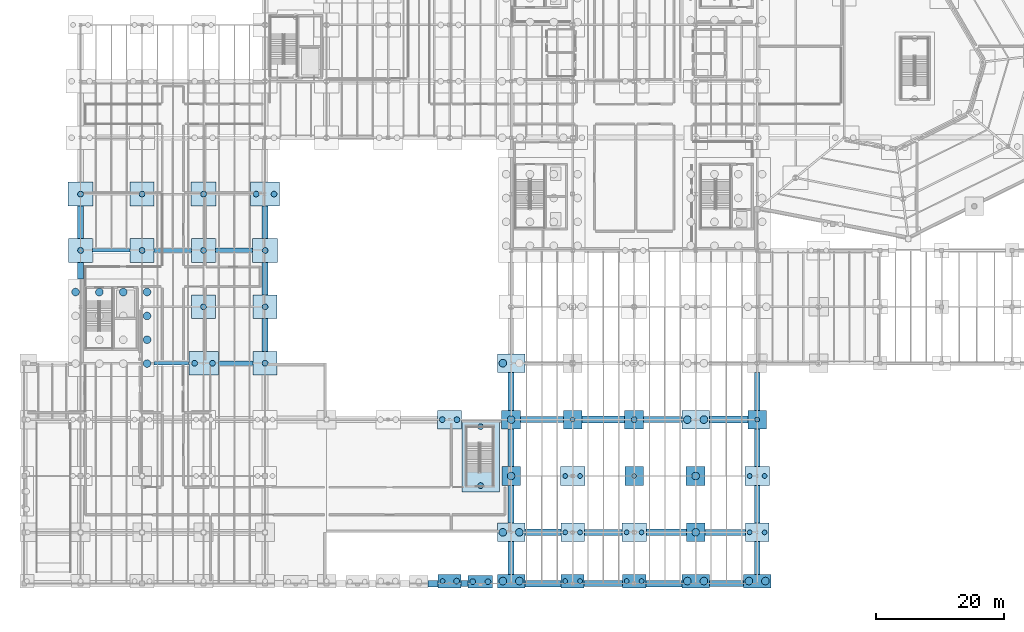
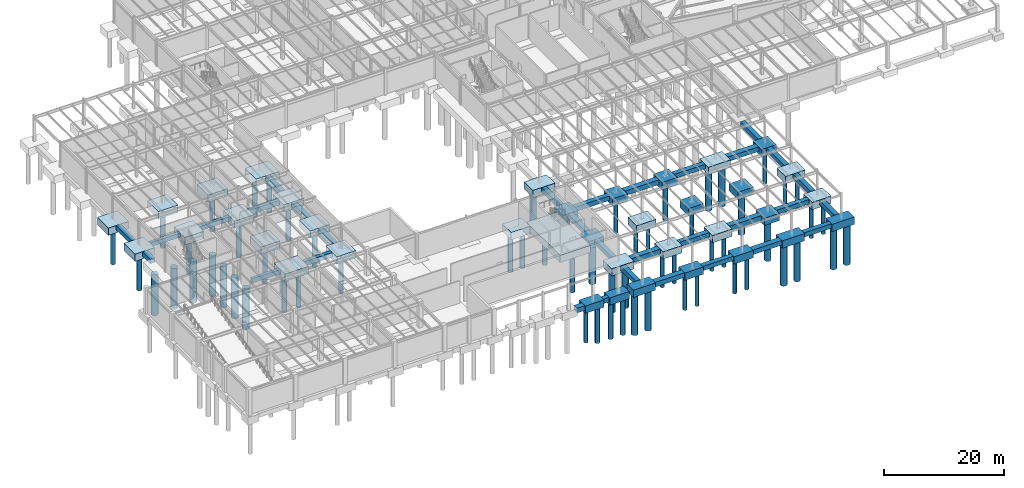
# One storey, part 2 of 48: 69 footings, 62 piles.
"""IFC4 building model written with IfcOpenShell, lengths in metres."""

import ifcopenshell
import ifcopenshell.guid

model = None  # the IFC model being written
_history = None  # IfcOwnerHistory: only IFC2X3 demands one
_inside = {}  # id of a spatial element -> (the spatial element, [elements in it])
_under = {}  # id of a project, library or spatial element -> (it, [spatial elements below it])
_declared = {}  # id of a project -> (the project, [libraries it declares])
_typed = {}  # id of a type object -> (the type object, [elements of that type])
_made_of = {}  # id of a material, layer set ... -> (it, [elements and type objects made of it])


def new_model(schema):
    """Start an empty IFC model of exactly this schema.

    Asked for "IFC4X3", IfcOpenShell would pick the latest addendum, in which some entities
    have other attributes; the version numbers below select the first issue.
    IFC2X3 requires an IfcOwnerHistory on every rooted entity: one is made here for all.
    """
    global model, _history
    if schema == "IFC4X3":
        model = ifcopenshell.file(schema_version=(4, 3, 0, 0))
    else:
        model = ifcopenshell.file(schema=schema)
    _inside.clear()
    _under.clear()
    _declared.clear()
    _typed.clear()
    _made_of.clear()
    _history = None
    if model.schema == "IFC2X3":
        org = make("IfcOrganization", Name="unknown")
        user = make(
            "IfcPersonAndOrganization",
            ThePerson=make("IfcPerson", FamilyName="unknown"),
            TheOrganization=org,
        )
        app = make(
            "IfcApplication",
            ApplicationDeveloper=org,
            Version="unknown",
            ApplicationFullName="unknown",
            ApplicationIdentifier="unknown",
        )
        _history = make(
            "IfcOwnerHistory",
            OwningUser=user,
            OwningApplication=app,
            ChangeAction="ADDED",
            CreationDate=0,
        )
    return model


def make(cls, **values):
    """One entity of the class cls with the attributes given. An attribute that is None is left unset."""
    return model.create_entity(
        cls, **{name: value for name, value in values.items() if value is not None}
    )


def rooted(cls, **values):
    """An entity with a GlobalId (a new one), such as an element, a storey or a relation."""
    return make(cls, GlobalId=ifcopenshell.guid.new(), OwnerHistory=_history, **values)


def si_unit(unit_type, name, prefix=None):
    """IfcSIUnit, for example si_unit("LENGTHUNIT", "METRE", prefix="MILLI")."""
    return make("IfcSIUnit", UnitType=unit_type, Prefix=prefix, Name=name)


def assignment(units):
    """IfcUnitAssignment: the units of a project."""
    return None if units is None else make("IfcUnitAssignment", Units=units)


def point(xyz):
    """IfcCartesianPoint."""
    return None if xyz is None else make("IfcCartesianPoint", Coordinates=xyz)


def direction(xyz):
    """IfcDirection."""
    return None if xyz is None else make("IfcDirection", DirectionRatios=xyz)


def frame(location, z_axis=None, x_axis=None):
    """IfcAxis2Placement3D, a coordinate frame: its origin and axes. An axis left out is left unset."""
    return make(
        "IfcAxis2Placement3D",
        Location=point(location),
        Axis=direction(z_axis),
        RefDirection=direction(x_axis),
    )


def frame_2d(location, x_axis=None):
    """IfcAxis2Placement2D, a coordinate frame in the plane: its origin and x axis."""
    return make(
        "IfcAxis2Placement2D", Location=point(location), RefDirection=direction(x_axis)
    )


def origin():
    """The frame at (0, 0, 0) with its axes left unset."""
    return frame((0.0, 0.0, 0.0))


def origin_2d():
    """The frame at (0, 0) in the plane with its x axis left unset."""
    return frame_2d((0.0, 0.0))


def place(relative_to, where):
    """IfcLocalPlacement: puts the frame where relative to a parent placement (None: the world)."""
    return make(
        "IfcLocalPlacement", PlacementRelTo=relative_to, RelativePlacement=where
    )


def context(
    kind, dimensions, precision=None, world=None, true_north=None, identifier=None
):
    """IfcGeometricRepresentationContext, for example the 3D "Model" context."""
    return make(
        "IfcGeometricRepresentationContext",
        ContextIdentifier=identifier,
        ContextType=kind,
        CoordinateSpaceDimension=dimensions,
        Precision=precision,
        WorldCoordinateSystem=world,
        TrueNorth=true_north,
    )


def subcontext(parent, identifier, kind, view, scale=None):
    """IfcGeometricRepresentationSubContext, for example "Body" below "Model"."""
    return make(
        "IfcGeometricRepresentationSubContext",
        ContextIdentifier=identifier,
        ContextType=kind,
        ParentContext=parent,
        TargetScale=scale,
        TargetView=view,
    )


def project(units=None, contexts=None):
    """IfcProject with its units and contexts."""
    return rooted(
        "IfcProject",
        Name="project",
        RepresentationContexts=contexts,
        UnitsInContext=assignment(units),
    )


def spatial(cls, under=None, at=None, **own):
    """A site, building, storey or space (cls), placed at a placement, below another one or the project."""
    s = rooted(cls, ObjectPlacement=at, **own)
    if under is not None:
        _under.setdefault(under.id(), (under, []))[1].append(s)
    return s


def profile(cls, at=None, kind="AREA", **sizes):
    """A parametric profile (cls). Its sizes go by their IFC names, for example OverallWidth=200.0."""
    return make(cls, ProfileType=kind, Position=at, **sizes)


def rectangle(**sizes):
    """IfcRectangleProfileDef."""
    return profile("IfcRectangleProfileDef", **sizes)


def circle(**sizes):
    """IfcCircleProfileDef."""
    return profile("IfcCircleProfileDef", **sizes)


def extrude(swept, where, along, depth):
    """IfcExtrudedAreaSolid: the profile swept, set in the frame where, extruded along a direction by depth."""
    return make(
        "IfcExtrudedAreaSolid",
        SweptArea=swept,
        Position=where,
        ExtrudedDirection=direction(along),
        Depth=depth,
    )


def shape(context_of_items, identifier, shape_type, items):
    """IfcShapeRepresentation: the items that make up one representation, for example the "Body"."""
    return make(
        "IfcShapeRepresentation",
        ContextOfItems=context_of_items,
        RepresentationIdentifier=identifier,
        RepresentationType=shape_type,
        Items=items,
    )


def material(Name=None, Category=None):
    """IfcMaterial."""
    return make("IfcMaterial", Name=Name, Category=Category)


def material_profile(
    of_material, cross_section, Name=None, Category=None, Priority=None
):
    """IfcMaterialProfile: a cross section and its material."""
    return make(
        "IfcMaterialProfile",
        Name=Name,
        Material=of_material,
        Profile=cross_section,
        Priority=Priority,
        Category=Category,
    )


def profile_set(profiles, Name=None, composite=None):
    """IfcMaterialProfileSet."""
    return make(
        "IfcMaterialProfileSet",
        Name=Name,
        MaterialProfiles=profiles,
        CompositeProfile=composite,
    )


def made_of(thing, what):
    """Note that an element or type object is made of a material, layer set ...; save() writes the relation."""
    if what is not None:
        _made_of.setdefault(what.id(), (what, []))[1].append(thing)
    return thing


def type_object(cls, material=None, **own):
    """A type object (cls), such as IfcWallType, which elements share."""
    return made_of(rooted(cls, **own), material)


def element(
    cls,
    number,
    at=None,
    inside=None,
    cuts=None,
    type_object=None,
    material=None,
    context=None,
    identifier="Body",
    shape_type=None,
    held_by="IfcProductDefinitionShape",
    body=None,
    shapes=None,
    **own,
):
    """One element of the class cls, such as IfcWall. Its Tag is "e" and its number.

    at: its placement. inside: the storey or other place that contains it. cuts: it is an
    opening in that element (IfcRelVoidsElement). A single representation is given by context,
    identifier, shape_type and body (its items); several are given by shapes. held_by: the class
    of the entity that holds the representations. save() writes the other relations.
    """
    e = rooted(cls, Tag="e%d" % number, ObjectPlacement=at, **own)
    if body is not None:
        shapes = [shape(context, identifier, shape_type, body)]
    if shapes is not None:
        e.Representation = make(held_by, Representations=shapes)
    if inside is not None:
        _inside.setdefault(inside.id(), (inside, []))[1].append(e)
    if cuts is not None:
        rooted(
            "IfcRelVoidsElement", RelatingBuildingElement=cuts, RelatedOpeningElement=e
        )
    if type_object is not None:
        _typed.setdefault(type_object.id(), (type_object, []))[1].append(e)
    return made_of(e, material)


def aggregate(whole, parts):
    """IfcRelAggregates: a whole, such as a stair, and the parts it consists of."""
    return rooted("IfcRelAggregates", RelatingObject=whole, RelatedObjects=parts)


def save(model, path):
    """Write the relations noted so far, then the file.

    IfcRelAggregates (storeys below a building ...), IfcRelContainedInSpatialStructure (elements
    in a storey), IfcRelDefinesByType, IfcRelAssociatesMaterial and IfcRelDeclares: one each for
    every whole, place, type object, material and project.
    """
    for whole, parts in _under.values():
        aggregate(whole, parts)
    for where, things in _inside.values():
        rooted(
            "IfcRelContainedInSpatialStructure",
            RelatedElements=things,
            RelatingStructure=where,
        )
    for kind, things in _typed.values():
        rooted("IfcRelDefinesByType", RelatedObjects=things, RelatingType=kind)
    for what, things in _made_of.values():
        rooted("IfcRelAssociatesMaterial", RelatedObjects=things, RelatingMaterial=what)
    for by, libraries in _declared.values():
        rooted("IfcRelDeclares", RelatingContext=by, RelatedDefinitions=libraries)
    model.write(path)


model = new_model("IFC4")

# Units and contexts
model_context = context("Model", 3, precision=1e-05, world=origin(), true_north=direction((0.0, 1.0)))
body_context = subcontext(model_context, "Body", "Model", "MODEL_VIEW")
ifc_project = project(units=[si_unit("LENGTHUNIT", "METRE"), si_unit("AREAUNIT", "SQUARE_METRE"), si_unit("VOLUMEUNIT", "CUBIC_METRE"), si_unit("PLANEANGLEUNIT", "RADIAN"), si_unit("MASSUNIT", "GRAM", prefix="KILO")], contexts=[model_context])

# Site, building, storey
site_placement = place(None, origin())
site = spatial("IfcSite", under=ifc_project, at=site_placement, CompositionType="ELEMENT")
building_placement = place(site_placement, origin())
building = spatial("IfcBuilding", under=site, at=building_placement, Name="Sarnbrook Museum", CompositionType="ELEMENT")
storey_placement = place(building_placement, frame((0.0, 0.0, -5.39990234375)))
storey = spatial("IfcBuildingStorey", under=building, at=storey_placement, Name="B1", CompositionType="ELEMENT", Elevation=-5.39990234375)

# Piles
ifc_material_1 = material(Name="Concrete N50 (AS 3600, f'c = 50 MPa)", Category="concrete")
ifc_material_profile_1 = material_profile(ifc_material_1, circle(Radius=0.375, at=origin_2d()), Name="BORED PILE D750")
ifc_profile_set_1 = profile_set([ifc_material_profile_1], Name="Concrete N50 (AS 3600, f'c = 50 MPa)")
pile_type_1 = type_object("IfcPileType", Name="BoredPile_P1", PredefinedType="BORED", material=ifc_profile_set_1)
for number, where, z_axis, x_axis, name in (
    (1, (70.110107421875, 5.199951171875, -1.400146484375), (0.0, 0.0, -1.0), (1.0, 0.0, 0.0), "Bored Pile P1-0137"),
    (2, (89.237548828125, 5.199951171875, -1.400146484375), (0.0, 0.0, -1.0), (1.0, 0.0, 0.0), "Bored Pile P1-0198"),
    (3, (91.5625, 5.199951171875, -1.400146484375), (0.0, 0.0, -1.0), (1.0, 0.0, 0.0), "Bored Pile P1-0199"),
    (4, (89.237548828125, 12.800048828125, -1.400146484375), (0.0, 0.0, -1.0), (1.0, 0.0, 0.0), "Bored Pile P1-0200"),
    (5, (91.5625, 12.800048828125, -1.400146484375), (0.0, 0.0, -1.0), (1.0, 0.0, 0.0), "Bored Pile P1-0201"),
    (6, (89.237548828125, 21.60009765625, -1.400146484375), (0.0, 0.0, -1.0), (1.0, 0.0, 0.0), "Bored Pile P1-0202"),
    (7, (91.5625, 21.60009765625, -1.400146484375), (0.0, 0.0, -1.0), (1.0, 0.0, 0.0), "Bored Pile P1-0203"),
    (8, (90.39990234375, 30.39990234375, -1.400146484375), (0.0, 0.0, -1.0), (1.0, 0.0, 0.0), "Bored Pile P1-0204"),
    (9, (98.83740234375, 5.199951171875, -1.400146484375), (0.0, 0.0, -1.0), (1.0, 0.0, 0.0), "Bored Pile P1-0214"),
    (10, (101.16259765625, 5.199951171875, -1.400146484375), (0.0, 0.0, -1.0), (1.0, 0.0, 0.0), "Bored Pile P1-0215"),
    (11, (98.83740234375, 12.800048828125, -1.400146484375), (0.0, 0.0, -1.0), (1.0, 0.0, 0.0), "Bored Pile P1-0216"),
    (12, (101.16259765625, 12.800048828125, -1.400146484375), (0.0, 0.0, -1.0), (1.0, 0.0, 0.0), "Bored Pile P1-0217"),
    (13, (100.0, 21.60009765625, -1.400146484375), (0.0, 0.0, -1.0), (1.0, 0.0, 0.0), "Bored Pile P1-0218"),
    (14, (118.03759765625, 12.800048828125, -1.400146484375), (0.0, 0.0, -1.0), (1.0, 0.0, 0.0), "Bored Pile P1-0276"),
    (15, (120.362548828125, 12.800048828125, -1.400146484375), (0.0, 0.0, -1.0), (1.0, 0.0, 0.0), "Bored Pile P1-0277"),
    (16, (118.03759765625, 21.60009765625, -1.400146484375), (0.0, 0.0, -1.0), (1.0, 0.0, 0.0), "Bored Pile P1-0278"),
    (17, (120.362548828125, 21.60009765625, -1.400146484375), (0.0, 0.0, -1.0), (1.0, 0.0, 0.0), "Bored Pile P1-0279"),
    (18, (119.199951171875, 30.39990234375, -1.400146484375), (0.0, 0.0, -1.0), (1.0, 0.0, 0.0), "Bored Pile P1-0280"),
):
    element("IfcPile", number, at=place(storey_placement, frame(where, z_axis=z_axis, x_axis=x_axis)), inside=storey, type_object=pile_type_1, Name=name, PredefinedType="BORED", context=body_context, shape_type="SweptSolid", body=[
        extrude(circle(Radius=0.375, at=origin_2d()), origin(), (0.0, 0.0, 1.0), 6.800048828125),
    ])
ifc_material_profile_2 = material_profile(ifc_material_1, circle(Radius=0.449951171875, at=origin_2d()), Name="BORED PILE D900")
ifc_profile_set_2 = profile_set([ifc_material_profile_2], Name="Concrete N50 (AS 3600, f'c = 50 MPa)")
pile_type_2 = type_object("IfcPileType", Name="BoredPile_P2", PredefinedType="BORED", material=ifc_profile_set_2)
for number, where, z_axis, x_axis, name in (
    (19, (13.60009765625, 56.800048828125, -1.400146484375), (0.0, 0.0, -1.0), (1.0, 0.0, 0.0), "Bored Pile P2-0024"),
    (20, (13.60009765625, 65.60009765625, -1.400146484375), (0.0, 0.0, -1.0), (1.0, 0.0, 0.0), "Bored Pile P2-0025"),
    (21, (23.199951171875, 56.800048828125, -1.400146484375), (0.0, 0.0, -1.0), (1.0, 0.0, 0.0), "Bored Pile P2-0038"),
    (22, (23.199951171875, 65.60009765625, -1.400146484375), (0.0, 0.0, -1.0), (1.0, 0.0, 0.0), "Bored Pile P2-0039"),
    (23, (31.405029296875, 39.199951171875, -1.400146484375), (0.0, 0.0, -1.0), (1.0, 0.0, 0.0), "Bored Pile P2-0051"),
    (24, (34.195068359375, 39.199951171875, -1.400146484375), (0.0, 0.0, -1.0), (1.0, 0.0, 0.0), "Bored Pile P2-0052"),
    (25, (32.800048828125, 48.0, -1.400146484375), (0.0, 0.0, -1.0), (1.0, 0.0, 0.0), "Bored Pile P2-0053"),
    (26, (32.800048828125, 56.800048828125, -1.400146484375), (0.0, 0.0, -1.0), (1.0, 0.0, 0.0), "Bored Pile P2-0054"),
    (27, (32.800048828125, 65.60009765625, -1.400146484375), (0.0, 0.0, -1.0), (1.0, 0.0, 0.0), "Bored Pile P2-0055"),
    (28, (42.39990234375, 39.199951171875, -1.400146484375), (0.0, 0.0, -1.0), (1.0, 0.0, 0.0), "Bored Pile P2-0068"),
    (29, (42.39990234375, 48.0, -1.400146484375), (0.0, 0.0, -1.0), (1.0, 0.0, 0.0), "Bored Pile P2-0069"),
    (30, (42.39990234375, 56.800048828125, -1.400146484375), (0.0, 0.0, -1.0), (1.0, 0.0, 0.0), "Bored Pile P2-0070"),
    (31, (41.0048828125, 65.60009765625, -1.400146484375), (0.0, 0.0, -1.0), (1.0, 0.0, 0.0), "Bored Pile P2-0071"),
    (32, (43.794921875, 65.60009765625, -1.400146484375), (0.0, 0.0, -1.0), (1.0, 0.0, 0.0), "Bored Pile P2-0072"),
    (33, (72.2900390625, 5.199951171875, -1.400146484375), (0.0, 0.0, -1.0), (1.0, 0.0, 0.0), "Bored Pile P2-0138"),
    (34, (70.06005859375, 30.39990234375, -1.400146484375), (0.0, 0.0, -1.0), (1.0, 0.0, 0.0), "Bored Pile P2-0139"),
    (35, (72.340087890625, 30.39990234375, -1.400146484375), (0.0, 0.0, -1.0), (1.0, 0.0, 0.0), "Bored Pile P2-0140"),
    (36, (74.81005859375, 5.110107421875, -1.400146484375), (0.0, 0.0, -1.0), (1.0, 0.0, 0.0), "Bored Pile P2-0141"),
    (37, (77.18994140625, 5.110107421875, -1.400146484375), (0.0, 0.0, -1.0), (1.0, 0.0, 0.0), "Bored Pile P2-0142"),
    (38, (100.0, 30.39990234375, -1.400146484375), (0.0, 0.0, -1.0), (1.0, 0.0, 0.0), "Bored Pile P2-0219"),
    (39, (76.044921875, 20.10009765625, -1.400146484375), (0.0, 0.0, -1.0), (1.0, 0.0, 0.0), "Bored Pile P2-0330"),
    (40, (76.044921875, 29.300048828125, -1.400146484375), (0.0, 0.0, -1.0), (1.0, 0.0, 0.0), "Bored Pile P2-0331"),
):
    element("IfcPile", number, at=place(storey_placement, frame(where, z_axis=z_axis, x_axis=x_axis)), inside=storey, type_object=pile_type_2, Name=name, PredefinedType="BORED", context=body_context, shape_type="SweptSolid", body=[
        extrude(circle(Radius=0.449951171875, at=origin_2d()), origin(), (0.0, 0.0, 1.0), 7.60009765625),
    ])
ifc_material_profile_3 = material_profile(ifc_material_1, circle(Radius=0.60009765625, at=origin_2d()), Name="BORED PILE D1200")
ifc_profile_set_3 = profile_set([ifc_material_profile_3], Name="Concrete N50 (AS 3600, f'c = 50 MPa)")
pile_type_3 = type_object("IfcPileType", Name="BoredPile_P3", PredefinedType="BORED", material=ifc_profile_set_3)
for number, where, z_axis, x_axis, name in (
    (41, (12.820068359375, 50.304931640625, -1.400146484375), (0.0, 0.0, -1.0), (1.0, 0.0, 0.0), "Bored Pile P3-0011"),
    (42, (16.5400390625, 50.304931640625, -1.400146484375), (0.0, 0.0, -1.0), (1.0, 0.0, 0.0), "Bored Pile P3-0015"),
    (43, (20.260009765625, 50.304931640625, -1.400146484375), (0.0, 0.0, -1.0), (1.0, 0.0, 0.0), "Bored Pile P3-0019"),
    (44, (23.97998046875, 39.14501953125, -1.400146484375), (0.0, 0.0, -1.0), (1.0, 0.0, 0.0), "Bored Pile P3-0020"),
    (45, (23.97998046875, 42.864990234375, -1.400146484375), (0.0, 0.0, -1.0), (1.0, 0.0, 0.0), "Bored Pile P3-0021"),
    (46, (23.97998046875, 46.5849609375, -1.400146484375), (0.0, 0.0, -1.0), (1.0, 0.0, 0.0), "Bored Pile P3-0022"),
    (47, (23.97998046875, 50.304931640625, -1.400146484375), (0.0, 0.0, -1.0), (1.0, 0.0, 0.0), "Bored Pile P3-0023"),
    (48, (79.510009765625, 5.199951171875, -1.400146484375), (0.0, 0.0, -1.0), (1.0, 0.0, 0.0), "Bored Pile P3-0184"),
    (49, (82.090087890625, 5.199951171875, -1.400146484375), (0.0, 0.0, -1.0), (1.0, 0.0, 0.0), "Bored Pile P3-0185"),
    (50, (79.510009765625, 12.800048828125, -1.400146484375), (0.0, 0.0, -1.0), (1.0, 0.0, 0.0), "Bored Pile P3-0186"),
    (51, (82.090087890625, 12.800048828125, -1.400146484375), (0.0, 0.0, -1.0), (1.0, 0.0, 0.0), "Bored Pile P3-0187"),
    (52, (80.800048828125, 21.60009765625, -1.400146484375), (0.0, 0.0, -1.0), (1.0, 0.0, 0.0), "Bored Pile P3-0188"),
    (53, (80.800048828125, 30.39990234375, -1.400146484375), (0.0, 0.0, -1.0), (1.0, 0.0, 0.0), "Bored Pile P3-0189"),
    (54, (79.510009765625, 39.199951171875, -1.400146484375), (0.0, 0.0, -1.0), (1.0, 0.0, 0.0), "Bored Pile P3-0190"),
    (55, (108.31005859375, 5.199951171875, -1.400146484375), (0.0, 0.0, -1.0), (1.0, 0.0, 0.0), "Bored Pile P3-0262"),
    (56, (110.889892578125, 5.199951171875, -1.400146484375), (0.0, 0.0, -1.0), (1.0, 0.0, 0.0), "Bored Pile P3-0263"),
    (57, (109.60009765625, 12.800048828125, -1.400146484375), (0.0, 0.0, -1.0), (1.0, 0.0, 0.0), "Bored Pile P3-0264"),
    (58, (109.60009765625, 21.60009765625, -1.400146484375), (0.0, 0.0, -1.0), (1.0, 0.0, 0.0), "Bored Pile P3-0265"),
    (59, (108.31005859375, 30.39990234375, -1.400146484375), (0.0, 0.0, -1.0), (1.0, 0.0, 0.0), "Bored Pile P3-0266"),
    (60, (110.889892578125, 30.39990234375, -1.400146484375), (0.0, 0.0, -1.0), (1.0, 0.0, 0.0), "Bored Pile P3-0267"),
    (61, (117.909912109375, 5.199951171875, -1.400146484375), (0.0, 0.0, -1.0), (1.0, 0.0, 0.0), "Bored Pile P3-0274"),
    (62, (120.489990234375, 5.199951171875, -1.400146484375), (0.0, 0.0, -1.0), (1.0, 0.0, 0.0), "Bored Pile P3-0275"),
):
    element("IfcPile", number, at=place(storey_placement, frame(where, z_axis=z_axis, x_axis=x_axis)), inside=storey, type_object=pile_type_3, Name=name, PredefinedType="BORED", context=body_context, shape_type="SweptSolid", body=[
        extrude(circle(Radius=0.60009765625, at=origin_2d()), origin(), (0.0, 0.0, 1.0), 8.39990234375),
    ])

# Footings
ifc_material_2 = material(Name="Concrete N40 (AS 3600, f'c = 40 MPa)", Category="concrete")
footing_type_1 = type_object("IfcFootingType", Name="GroundBeam_GB1", PredefinedType="FOOTING_BEAM", material=ifc_material_2)
footing_1_placement = place(storey_placement, frame((18.425048828125, 56.800048828125, -0.85009765625), z_axis=(0.0, 0.0, 1.0), x_axis=(1.0, 0.0, 0.0)))
element("IfcFooting", 63, at=footing_1_placement, inside=storey, type_object=footing_type_1, Name="Ground Tie Beam GB-013", PredefinedType="FOOTING_BEAM", context=body_context, shape_type="SweptSolid", body=[
    extrude(rectangle(XDim=5.85009765625, YDim=0.550048828125, at=origin_2d()), origin(), (0.0, 0.0, 1.0), 0.85009765625),
])
footing_type_2 = type_object("IfcFootingType", Name="GroundBeam_GB2", PredefinedType="FOOTING_BEAM", material=ifc_material_2)
footing_2_placement = place(storey_placement, frame((27.77490234375, 39.199951171875, -0.900146484375), z_axis=(0.0, 0.0, 1.0), x_axis=(1.0, 0.0, 0.0)))
element("IfcFooting", 64, at=footing_2_placement, inside=storey, type_object=footing_type_2, Name="Ground Tie Beam GB-002", PredefinedType="FOOTING_BEAM", context=body_context, shape_type="SweptSolid", body=[
    extrude(rectangle(XDim=5.449951171875, YDim=0.60009765625, at=origin_2d()), origin(), (0.0, 0.0, 1.0), 0.89990234375),
])
footing_3_placement = place(storey_placement, frame((27.97509765625, 56.800048828125, -0.900146484375), z_axis=(0.0, 0.0, 1.0), x_axis=(1.0, 0.0, 0.0)))
element("IfcFooting", 65, at=footing_3_placement, inside=storey, type_object=footing_type_2, Name="Ground Tie Beam GB-014", PredefinedType="FOOTING_BEAM", context=body_context, shape_type="SweptSolid", body=[
    extrude(rectangle(XDim=5.85009765625, YDim=0.60009765625, at=origin_2d()), origin(), (0.0, 0.0, 1.0), 0.89990234375),
])
footing_type_3 = type_object("IfcFootingType", Name="GroundBeam_GB3", PredefinedType="FOOTING_BEAM", material=ifc_material_2)
footing_4_placement = place(storey_placement, frame((37.824951171875, 39.199951171875, -0.9501953125), z_axis=(0.0, 0.0, 1.0), x_axis=(1.0, 0.0, 0.0)))
element("IfcFooting", 66, at=footing_4_placement, inside=storey, type_object=footing_type_3, Name="Ground Tie Beam GB-003", PredefinedType="FOOTING_BEAM", context=body_context, shape_type="SweptSolid", body=[
    extrude(rectangle(XDim=5.449951171875, YDim=0.699951171875, at=origin_2d()), origin(), (0.0, 0.0, 1.0), 0.949951171875),
])
footing_5_placement = place(storey_placement, frame((37.574951171875, 56.800048828125, -0.9501953125), z_axis=(0.0, 0.0, 1.0), x_axis=(1.0, 0.0, 0.0)))
element("IfcFooting", 67, at=footing_5_placement, inside=storey, type_object=footing_type_3, Name="Ground Tie Beam GB-015", PredefinedType="FOOTING_BEAM", context=body_context, shape_type="SweptSolid", body=[
    extrude(rectangle(XDim=5.75, YDim=0.699951171875, at=origin_2d()), origin(), (0.0, 0.0, 1.0), 0.949951171875),
])
footing_type_4 = type_object("IfcFootingType", Name="PileCap_PC07", PredefinedType="PILE_CAP", material=ifc_material_2)
for number, where, z_axis, x_axis, name in (
    (68, (13.60009765625, 56.800048828125, -1.5), (0.0, 0.0, 1.0), (1.0, 0.0, 0.0), "Pile Cap PC-007"),
    (69, (23.199951171875, 65.60009765625, -1.5), (0.0, 0.0, 1.0), (1.0, 0.0, 0.0), "Pile Cap PC-017"),
    (70, (32.800048828125, 56.800048828125, -1.5), (0.0, 0.0, 1.0), (1.0, 0.0, 0.0), "Pile Cap PC-027"),
    (71, (42.39990234375, 48.0, -1.5), (0.0, 0.0, 1.0), (1.0, 0.0, 0.0), "Pile Cap PC-037"),
):
    element("IfcFooting", number, at=place(storey_placement, frame(where, z_axis=z_axis, x_axis=x_axis)), inside=storey, type_object=footing_type_4, Name=name, PredefinedType="PILE_CAP", context=body_context, shape_type="SweptSolid", body=[
        extrude(rectangle(XDim=3.800048828125, YDim=3.699951171875, at=origin_2d()), origin(), (0.0, 0.0, 1.0), 1.5),
    ])
footing_type_5 = type_object("IfcFootingType", Name="PileCap_PC08", PredefinedType="PILE_CAP", material=ifc_material_2)
for number, where, z_axis, x_axis, name in (
    (72, (13.60009765625, 65.60009765625, -1.5), (0.0, 0.0, 1.0), (1.0, 0.0, 0.0), "Pile Cap PC-008"),
    (73, (32.800048828125, 65.60009765625, -1.5), (0.0, 0.0, 1.0), (1.0, 0.0, 0.0), "Pile Cap PC-028"),
    (74, (42.39990234375, 56.800048828125, -1.5), (0.0, 0.0, 1.0), (1.0, 0.0, 0.0), "Pile Cap PC-038"),
):
    element("IfcFooting", number, at=place(storey_placement, frame(where, z_axis=z_axis, x_axis=x_axis)), inside=storey, type_object=footing_type_5, Name=name, PredefinedType="PILE_CAP", context=body_context, shape_type="SweptSolid", body=[
        extrude(rectangle(XDim=3.89990234375, YDim=3.699951171875, at=origin_2d()), origin(), (0.0, 0.0, 1.0), 1.5),
    ])
footing_type_6 = type_object("IfcFootingType", Name="PileCap_PC09", PredefinedType="PILE_CAP", material=ifc_material_2)
footing_6_placement = place(storey_placement, frame((42.39990234375, 65.60009765625, -1.5), z_axis=(0.0, 0.0, 1.0), x_axis=(1.0, 0.0, 0.0)))
element("IfcFooting", 75, at=footing_6_placement, inside=storey, type_object=footing_type_6, Name="Pile Cap PC-039", PredefinedType="PILE_CAP", context=body_context, shape_type="SweptSolid", body=[
    extrude(rectangle(XDim=4.5, YDim=3.699951171875, at=origin_2d()), origin(), (0.0, 0.0, 1.0), 1.5),
])
footing_type_7 = type_object("IfcFootingType", Name="PileCap_PC10", PredefinedType="PILE_CAP", material=ifc_material_2)
footing_7_placement = place(storey_placement, frame((32.800048828125, 39.199951171875, -1.5), z_axis=(0.0, 0.0, 1.0), x_axis=(1.0, 0.0, 0.0)))
element("IfcFooting", 76, at=footing_7_placement, inside=storey, type_object=footing_type_7, Name="Pile Cap PC-025", PredefinedType="PILE_CAP", context=body_context, shape_type="SweptSolid", body=[
    extrude(rectangle(XDim=4.60009765625, YDim=3.699951171875, at=origin_2d()), origin(), (0.0, 0.0, 1.0), 1.5),
])
footing_type_8 = type_object("IfcFootingType", Name="PileCap_PC12", PredefinedType="PILE_CAP", material=ifc_material_2)
for number, where, z_axis, x_axis, name in (
    (77, (80.800048828125, 30.39990234375, -1.5), (0.0, 0.0, 1.0), (1.0, 0.0, 0.0), "Pile Cap PC-087"),
    (78, (100.0, 30.39990234375, -1.5), (0.0, 0.0, 1.0), (1.0, 0.0, 0.0), "Pile Cap PC-107"),
    (79, (109.60009765625, 21.60009765625, -1.5), (0.0, 0.0, 1.0), (1.0, 0.0, 0.0), "Pile Cap PC-116"),
):
    element("IfcFooting", number, at=place(storey_placement, frame(where, z_axis=z_axis, x_axis=x_axis)), inside=storey, type_object=footing_type_8, Name=name, PredefinedType="PILE_CAP", context=body_context, shape_type="SweptSolid", body=[
        extrude(rectangle(XDim=3.0, YDim=2.89990234375, at=origin_2d()), origin(), (0.0, 0.0, 1.0), 1.5),
    ])
footing_type_9 = type_object("IfcFootingType", Name="PileCap_PC14", PredefinedType="PILE_CAP", material=ifc_material_2)
for number, where, z_axis, x_axis, name in (
    (80, (71.199951171875, 30.39990234375, -1.5), (0.0, 0.0, 1.0), (1.0, 0.0, 0.0), "Pile Cap PC-074"),
    (81, (90.39990234375, 12.800048828125, -1.5), (0.0, 0.0, 1.0), (1.0, 0.0, 0.0), "Pile Cap PC-094"),
    (82, (119.199951171875, 12.800048828125, -1.5), (0.0, 0.0, 1.0), (1.0, 0.0, 0.0), "Pile Cap PC-123"),
):
    element("IfcFooting", number, at=place(storey_placement, frame(where, z_axis=z_axis, x_axis=x_axis)), inside=storey, type_object=footing_type_9, Name=name, PredefinedType="PILE_CAP", context=body_context, shape_type="SweptSolid", body=[
        extrude(rectangle(XDim=3.699951171875, YDim=2.89990234375, at=origin_2d()), origin(), (0.0, 0.0, 1.0), 1.5),
    ])
footing_type_10 = type_object("IfcFootingType", Name="PileCap_PC15", PredefinedType="PILE_CAP", material=ifc_material_2)
for number, where, z_axis, x_axis, name in (
    (83, (90.39990234375, 21.60009765625, -1.5), (0.0, 0.0, 1.0), (1.0, 0.0, 0.0), "Pile Cap PC-095"),
    (84, (100.0, 12.800048828125, -1.5), (0.0, 0.0, 1.0), (1.0, 0.0, 0.0), "Pile Cap PC-105"),
    (85, (119.199951171875, 21.60009765625, -1.5), (0.0, 0.0, 1.0), (1.0, 0.0, 0.0), "Pile Cap PC-124"),
):
    element("IfcFooting", number, at=place(storey_placement, frame(where, z_axis=z_axis, x_axis=x_axis)), inside=storey, type_object=footing_type_10, Name=name, PredefinedType="PILE_CAP", context=body_context, shape_type="SweptSolid", body=[
        extrude(rectangle(XDim=3.800048828125, YDim=2.89990234375, at=origin_2d()), origin(), (0.0, 0.0, 1.0), 1.5),
    ])
footing_type_11 = type_object("IfcFootingType", Name="PileCap_PC16", PredefinedType="PILE_CAP", material=ifc_material_2)
for number, where, z_axis, x_axis, name in (
    (86, (23.199951171875, 56.800048828125, -1.5), (0.0, 0.0, 1.0), (1.0, 0.0, 0.0), "Pile Cap PC-016"),
    (87, (32.800048828125, 48.0, -1.5), (0.0, 0.0, 1.0), (1.0, 0.0, 0.0), "Pile Cap PC-026"),
    (88, (42.39990234375, 39.199951171875, -1.5), (0.0, 0.0, 1.0), (1.0, 0.0, 0.0), "Pile Cap PC-036"),
):
    element("IfcFooting", number, at=place(storey_placement, frame(where, z_axis=z_axis, x_axis=x_axis)), inside=storey, type_object=footing_type_11, Name=name, PredefinedType="PILE_CAP", context=body_context, shape_type="SweptSolid", body=[
        extrude(rectangle(XDim=3.699951171875, YDim=3.699951171875, at=origin_2d()), origin(), (0.0, 0.0, 1.0), 1.5),
    ])
footing_type_12 = type_object("IfcFootingType", Name="PileCap_PC18", PredefinedType="PILE_CAP", material=ifc_material_2)
for number, where, z_axis, x_axis, name in (
    (89, (80.800048828125, 21.60009765625, -1.5), (0.0, 0.0, 1.0), (1.0, 0.0, 0.0), "Pile Cap PC-086"),
    (90, (90.39990234375, 30.39990234375, -1.5), (0.0, 0.0, 1.0), (1.0, 0.0, 0.0), "Pile Cap PC-096"),
    (91, (100.0, 21.60009765625, -1.5), (0.0, 0.0, 1.0), (1.0, 0.0, 0.0), "Pile Cap PC-106"),
    (92, (109.60009765625, 12.800048828125, -1.5), (0.0, 0.0, 1.0), (1.0, 0.0, 0.0), "Pile Cap PC-115"),
    (93, (119.199951171875, 30.39990234375, -1.5), (0.0, 0.0, 1.0), (1.0, 0.0, 0.0), "Pile Cap PC-125"),
):
    element("IfcFooting", number, at=place(storey_placement, frame(where, z_axis=z_axis, x_axis=x_axis)), inside=storey, type_object=footing_type_12, Name=name, PredefinedType="PILE_CAP", context=body_context, shape_type="SweptSolid", body=[
        extrude(rectangle(XDim=2.89990234375, YDim=2.89990234375, at=origin_2d()), origin(), (0.0, 0.0, 1.0), 1.5),
    ])
footing_type_13 = type_object("IfcFootingType", Name="PileCap_PC20", PredefinedType="PILE_CAP", material=ifc_material_2)
footing_8_placement = place(storey_placement, frame((76.0, 5.110107421875, -1.5), z_axis=(0.0, 0.0, 1.0), x_axis=(1.0, 0.0, 0.0)))
element("IfcFooting", 94, at=footing_8_placement, inside=storey, type_object=footing_type_13, Name="Pile Cap PC-075", PredefinedType="PILE_CAP", context=body_context, shape_type="SweptSolid", body=[
    extrude(rectangle(XDim=3.800048828125, YDim=1.919921875, at=origin_2d()), origin(), (0.0, 0.0, 1.0), 1.5),
])
footing_type_14 = type_object("IfcFootingType", Name="PileCap_PC25", PredefinedType="PILE_CAP", material=ifc_material_2)
footing_9_placement = place(storey_placement, frame((100.0, 5.199951171875, -1.5), z_axis=(0.0, 0.0, 1.0), x_axis=(1.0, 0.0, 0.0)))
element("IfcFooting", 95, at=footing_9_placement, inside=storey, type_object=footing_type_14, Name="Pile Cap PC-104", PredefinedType="PILE_CAP", context=body_context, shape_type="SweptSolid", body=[
    extrude(rectangle(XDim=3.699951171875, YDim=2.10009765625, at=origin_2d()), origin(), (0.0, 0.0, 1.0), 1.5),
])
footing_type_15 = type_object("IfcFootingType", Name="PileCap_PC28", PredefinedType="PILE_CAP", material=ifc_material_2)
for number, where, z_axis, x_axis, name in (
    (96, (71.199951171875, 5.199951171875, -1.5), (0.0, 0.0, 1.0), (1.0, 0.0, 0.0), "Pile Cap PC-073"),
    (97, (90.39990234375, 5.199951171875, -1.5), (0.0, 0.0, 1.0), (1.0, 0.0, 0.0), "Pile Cap PC-093"),
):
    element("IfcFooting", number, at=place(storey_placement, frame(where, z_axis=z_axis, x_axis=x_axis)), inside=storey, type_object=footing_type_15, Name=name, PredefinedType="PILE_CAP", context=body_context, shape_type="SweptSolid", body=[
        extrude(rectangle(XDim=3.60009765625, YDim=2.10009765625, at=origin_2d()), origin(), (0.0, 0.0, 1.0), 1.5),
    ])
footing_type_16 = type_object("IfcFootingType", Name="PileCap_PC32", PredefinedType="PILE_CAP", material=ifc_material_2)
for number, where, z_axis, x_axis, name in (
    (98, (80.800048828125, 5.199951171875, -1.5), (0.0, 0.0, 1.0), (1.0, 0.0, 0.0), "Pile Cap PC-084"),
    (99, (109.60009765625, 5.199951171875, -1.5), (0.0, 0.0, 1.0), (1.0, 0.0, 0.0), "Pile Cap PC-114"),
    (100, (119.199951171875, 5.199951171875, -1.5), (0.0, 0.0, 1.0), (1.0, 0.0, 0.0), "Pile Cap PC-122"),
):
    element("IfcFooting", number, at=place(storey_placement, frame(where, z_axis=z_axis, x_axis=x_axis)), inside=storey, type_object=footing_type_16, Name=name, PredefinedType="PILE_CAP", context=body_context, shape_type="SweptSolid", body=[
        extrude(rectangle(XDim=4.300048828125, YDim=2.10009765625, at=origin_2d()), origin(), (0.0, 0.0, 1.0), 1.5),
    ])
footing_type_17 = type_object("IfcFootingType", Name="PileCap_PC33", PredefinedType="PILE_CAP", material=ifc_material_2)
for number, where, z_axis, x_axis, name in (
    (101, (80.800048828125, 12.800048828125, -1.5), (0.0, 0.0, 1.0), (1.0, 0.0, 0.0), "Pile Cap PC-085"),
    (102, (80.800048828125, 39.199951171875, -1.5), (0.0, 0.0, 1.0), (1.0, 0.0, 0.0), "Pile Cap PC-088"),
    (103, (109.60009765625, 30.39990234375, -1.5), (0.0, 0.0, 1.0), (1.0, 0.0, 0.0), "Pile Cap PC-117"),
):
    element("IfcFooting", number, at=place(storey_placement, frame(where, z_axis=z_axis, x_axis=x_axis)), inside=storey, type_object=footing_type_17, Name=name, PredefinedType="PILE_CAP", context=body_context, shape_type="SweptSolid", body=[
        extrude(rectangle(XDim=4.300048828125, YDim=2.89990234375, at=origin_2d()), origin(), (0.0, 0.0, 1.0), 1.5),
    ])
footing_type_18 = type_object("IfcFootingType", Name="PileCap_PC40", PredefinedType="PILE_CAP", material=ifc_material_2)
footing_10_placement = place(storey_placement, frame((76.044921875, 24.699951171875, -1.5), z_axis=(0.0, 0.0, 1.0), x_axis=(1.0, 0.0, 0.0)))
element("IfcFooting", 104, at=footing_10_placement, inside=storey, type_object=footing_type_18, Name="Pile Cap PC-CORE-C8-1", PredefinedType="PILE_CAP", context=body_context, shape_type="SweptSolid", body=[
    extrude(rectangle(XDim=5.8701171875, YDim=11.199951171875, at=origin_2d()), origin(), (0.0, 0.0, 1.0), 1.5),
])
footing_type_19 = type_object("IfcFootingType", Name="StripFooting_SF1", PredefinedType="STRIP_FOOTING", material=ifc_material_2)
footing_11_placement = place(storey_placement, frame((73.550048828125, 4.800048828125, -0.900146484375), z_axis=(0.0, 0.0, 1.0), x_axis=(1.0, 0.0, 0.0)))
element("IfcFooting", 105, at=footing_11_placement, inside=storey, type_object=footing_type_19, Name="Strip Footing SF-011", PredefinedType="STRIP_FOOTING", context=body_context, shape_type="SweptSolid", body=[
    extrude(rectangle(XDim=1.10009765625, YDim=0.89990234375, at=origin_2d()), origin(), (0.0, 0.0, 1.0), 0.89990234375),
])
footing_12_placement = place(storey_placement, frame((95.175048828125, 4.800048828125, -0.900146484375), z_axis=(0.0, 0.0, 1.0), x_axis=(1.0, 0.0, 0.0)))
element("IfcFooting", 106, at=footing_12_placement, inside=storey, type_object=footing_type_19, Name="Strip Footing SF-013", PredefinedType="STRIP_FOOTING", context=body_context, shape_type="SweptSolid", body=[
    extrude(rectangle(XDim=5.949951171875, YDim=0.89990234375, at=origin_2d()), origin(), (0.0, 0.0, 1.0), 0.89990234375),
])
footing_13_placement = place(storey_placement, frame((114.39990234375, 4.800048828125, -0.900146484375), z_axis=(0.0, 0.0, 1.0), x_axis=(1.0, 0.0, 0.0)))
element("IfcFooting", 107, at=footing_13_placement, inside=storey, type_object=footing_type_19, Name="Strip Footing SF-015", PredefinedType="STRIP_FOOTING", context=body_context, shape_type="SweptSolid", body=[
    extrude(rectangle(XDim=5.300048828125, YDim=0.89990234375, at=origin_2d()), origin(), (0.0, 0.0, 1.0), 0.89990234375),
])
footing_14_placement = place(storey_placement, frame((95.175048828125, 12.800048828125, -0.900146484375), z_axis=(0.0, 0.0, 1.0), x_axis=(1.0, 0.0, 0.0)))
element("IfcFooting", 108, at=footing_14_placement, inside=storey, type_object=footing_type_19, Name="Strip Footing SF-021", PredefinedType="STRIP_FOOTING", context=body_context, shape_type="SweptSolid", body=[
    extrude(rectangle(XDim=5.85009765625, YDim=0.89990234375, at=origin_2d()), origin(), (0.0, 0.0, 1.0), 0.89990234375),
])
footing_15_placement = place(storey_placement, frame((114.199951171875, 12.800048828125, -0.900146484375), z_axis=(0.0, 0.0, 1.0), x_axis=(1.0, 0.0, 0.0)))
element("IfcFooting", 109, at=footing_15_placement, inside=storey, type_object=footing_type_19, Name="Strip Footing SF-023", PredefinedType="STRIP_FOOTING", context=body_context, shape_type="SweptSolid", body=[
    extrude(rectangle(XDim=6.300048828125, YDim=0.89990234375, at=origin_2d()), origin(), (0.0, 0.0, 1.0), 0.89990234375),
])
footing_16_placement = place(storey_placement, frame((85.625, 30.39990234375, -0.900146484375), z_axis=(0.0, 0.0, 1.0), x_axis=(1.0, 0.0, 0.0)))
element("IfcFooting", 110, at=footing_16_placement, inside=storey, type_object=footing_type_19, Name="Strip Footing SF-031", PredefinedType="STRIP_FOOTING", context=body_context, shape_type="SweptSolid", body=[
    extrude(rectangle(XDim=6.64990234375, YDim=0.89990234375, at=origin_2d()), origin(), (0.0, 0.0, 1.0), 0.89990234375),
])
footing_17_placement = place(storey_placement, frame((104.47509765625, 30.39990234375, -0.900146484375), z_axis=(0.0, 0.0, 1.0), x_axis=(1.0, 0.0, 0.0)))
element("IfcFooting", 111, at=footing_17_placement, inside=storey, type_object=footing_type_19, Name="Strip Footing SF-033", PredefinedType="STRIP_FOOTING", context=body_context, shape_type="SweptSolid", body=[
    extrude(rectangle(XDim=5.949951171875, YDim=0.89990234375, at=origin_2d()), origin(), (0.0, 0.0, 1.0), 0.89990234375),
])
footing_18_placement = place(storey_placement, frame((13.60009765625, 53.64990234375, -0.900146484375), z_axis=(0.0, 0.0, 1.0), x_axis=(1.0, 0.0, 0.0)))
element("IfcFooting", 112, at=footing_18_placement, inside=storey, type_object=footing_type_19, Name="Strip Footing SF-048", PredefinedType="STRIP_FOOTING", context=body_context, shape_type="SweptSolid", body=[
    extrude(rectangle(XDim=0.89990234375, YDim=2.60009765625, at=origin_2d()), origin(), (0.0, 0.0, 1.0), 0.89990234375),
])
for number, where, z_axis, x_axis, name in (
    (113, (13.60009765625, 61.199951171875, -0.900146484375), (0.0, 0.0, 1.0), (1.0, 0.0, 0.0), "Strip Footing SF-049"),
    (114, (42.39990234375, 43.60009765625, -0.900146484375), (0.0, 0.0, 1.0), (1.0, 0.0, 0.0), "Strip Footing SF-057"),
    (115, (42.39990234375, 52.39990234375, -0.900146484375), (0.0, 0.0, 1.0), (1.0, 0.0, 0.0), "Strip Footing SF-058"),
    (116, (42.39990234375, 61.199951171875, -0.900146484375), (0.0, 0.0, 1.0), (1.0, 0.0, 0.0), "Strip Footing SF-059"),
    (117, (80.800048828125, 8.800048828125, -0.900146484375), (0.0, 0.0, 1.0), (1.0, 0.0, 0.0), "Strip Footing SF-070"),
):
    element("IfcFooting", number, at=place(storey_placement, frame(where, z_axis=z_axis, x_axis=x_axis)), inside=storey, type_object=footing_type_19, Name=name, PredefinedType="STRIP_FOOTING", context=body_context, shape_type="SweptSolid", body=[
        extrude(rectangle(XDim=0.89990234375, YDim=5.10009765625, at=origin_2d()), origin(), (0.0, 0.0, 1.0), 0.89990234375),
    ])
for number, where, z_axis, x_axis, name in (
    (118, (80.800048828125, 17.199951171875, -0.900146484375), (0.0, 0.0, 1.0), (1.0, 0.0, 0.0), "Strip Footing SF-071"),
    (119, (80.800048828125, 26.0, -0.900146484375), (0.0, 0.0, 1.0), (1.0, 0.0, 0.0), "Strip Footing SF-072"),
    (120, (80.800048828125, 34.800048828125, -0.900146484375), (0.0, 0.0, 1.0), (1.0, 0.0, 0.0), "Strip Footing SF-073"),
):
    element("IfcFooting", number, at=place(storey_placement, frame(where, z_axis=z_axis, x_axis=x_axis)), inside=storey, type_object=footing_type_19, Name=name, PredefinedType="STRIP_FOOTING", context=body_context, shape_type="SweptSolid", body=[
        extrude(rectangle(XDim=0.89990234375, YDim=5.89990234375, at=origin_2d()), origin(), (0.0, 0.0, 1.0), 0.89990234375),
    ])
footing_19_placement = place(storey_placement, frame((119.199951171875, 8.800048828125, -0.900146484375), z_axis=(0.0, 0.0, 1.0), x_axis=(1.0, 0.0, 0.0)))
element("IfcFooting", 121, at=footing_19_placement, inside=storey, type_object=footing_type_19, Name="Strip Footing SF-080", PredefinedType="STRIP_FOOTING", context=body_context, shape_type="SweptSolid", body=[
    extrude(rectangle(XDim=0.89990234375, YDim=5.10009765625, at=origin_2d()), origin(), (0.0, 0.0, 1.0), 0.89990234375),
])
for number, where, z_axis, x_axis, name in (
    (122, (119.199951171875, 17.199951171875, -0.900146484375), (0.0, 0.0, 1.0), (1.0, 0.0, 0.0), "Strip Footing SF-081"),
    (123, (119.199951171875, 26.0, -0.900146484375), (0.0, 0.0, 1.0), (1.0, 0.0, 0.0), "Strip Footing SF-082"),
    (124, (119.199951171875, 34.800048828125, -0.900146484375), (0.0, 0.0, 1.0), (1.0, 0.0, 0.0), "Strip Footing SF-083"),
):
    element("IfcFooting", number, at=place(storey_placement, frame(where, z_axis=z_axis, x_axis=x_axis)), inside=storey, type_object=footing_type_19, Name=name, PredefinedType="STRIP_FOOTING", context=body_context, shape_type="SweptSolid", body=[
        extrude(rectangle(XDim=0.89990234375, YDim=5.89990234375, at=origin_2d()), origin(), (0.0, 0.0, 1.0), 0.89990234375),
    ])
footing_type_20 = type_object("IfcFootingType", Name="StripFooting_SF2", PredefinedType="STRIP_FOOTING", material=ifc_material_2)
footing_20_placement = place(storey_placement, frame((68.625, 4.800048828125, -0.9501953125), z_axis=(0.0, 0.0, 1.0), x_axis=(1.0, 0.0, 0.0)))
element("IfcFooting", 125, at=footing_20_placement, inside=storey, type_object=footing_type_20, Name="Strip Footing SF-010", PredefinedType="STRIP_FOOTING", context=body_context, shape_type="SweptSolid", body=[
    extrude(rectangle(XDim=1.550048828125, YDim=1.050048828125, at=origin_2d()), origin(), (0.0, 0.0, 1.0), 0.949951171875),
])
footing_21_placement = place(storey_placement, frame((85.77490234375, 4.800048828125, -0.9501953125), z_axis=(0.0, 0.0, 1.0), x_axis=(1.0, 0.0, 0.0)))
element("IfcFooting", 126, at=footing_21_placement, inside=storey, type_object=footing_type_20, Name="Strip Footing SF-012", PredefinedType="STRIP_FOOTING", context=body_context, shape_type="SweptSolid", body=[
    extrude(rectangle(XDim=5.64990234375, YDim=1.050048828125, at=origin_2d()), origin(), (0.0, 0.0, 1.0), 0.949951171875),
])
for number, where, z_axis, x_axis, name in (
    (127, (104.64990234375, 4.800048828125, -0.9501953125), (0.0, 0.0, 1.0), (1.0, 0.0, 0.0), "Strip Footing SF-014"),
    (128, (85.75, 12.800048828125, -0.9501953125), (0.0, 0.0, 1.0), (1.0, 0.0, 0.0), "Strip Footing SF-020"),
):
    element("IfcFooting", number, at=place(storey_placement, frame(where, z_axis=z_axis, x_axis=x_axis)), inside=storey, type_object=footing_type_20, Name=name, PredefinedType="STRIP_FOOTING", context=body_context, shape_type="SweptSolid", body=[
        extrude(rectangle(XDim=5.60009765625, YDim=1.050048828125, at=origin_2d()), origin(), (0.0, 0.0, 1.0), 0.949951171875),
    ])
footing_22_placement = place(storey_placement, frame((105.02490234375, 12.800048828125, -0.9501953125), z_axis=(0.0, 0.0, 1.0), x_axis=(1.0, 0.0, 0.0)))
element("IfcFooting", 129, at=footing_22_placement, inside=storey, type_object=footing_type_20, Name="Strip Footing SF-022", PredefinedType="STRIP_FOOTING", context=body_context, shape_type="SweptSolid", body=[
    extrude(rectangle(XDim=6.25, YDim=1.050048828125, at=origin_2d()), origin(), (0.0, 0.0, 1.0), 0.949951171875),
])
footing_23_placement = place(storey_placement, frame((95.175048828125, 30.39990234375, -0.9501953125), z_axis=(0.0, 0.0, 1.0), x_axis=(1.0, 0.0, 0.0)))
element("IfcFooting", 130, at=footing_23_placement, inside=storey, type_object=footing_type_20, Name="Strip Footing SF-032", PredefinedType="STRIP_FOOTING", context=body_context, shape_type="SweptSolid", body=[
    extrude(rectangle(XDim=6.64990234375, YDim=1.050048828125, at=origin_2d()), origin(), (0.0, 0.0, 1.0), 0.949951171875),
])
footing_24_placement = place(storey_placement, frame((114.75, 30.39990234375, -0.9501953125), z_axis=(0.0, 0.0, 1.0), x_axis=(1.0, 0.0, 0.0)))
element("IfcFooting", 131, at=footing_24_placement, inside=storey, type_object=footing_type_20, Name="Strip Footing SF-034", PredefinedType="STRIP_FOOTING", context=body_context, shape_type="SweptSolid", body=[
    extrude(rectangle(XDim=6.0, YDim=1.050048828125, at=origin_2d()), origin(), (0.0, 0.0, 1.0), 0.949951171875),
])

save(model, "model.ifc")
